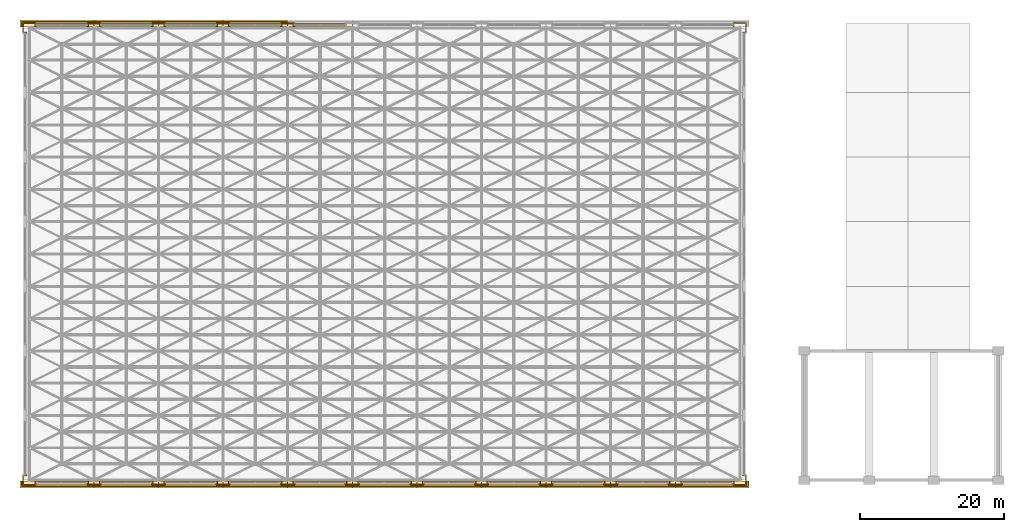
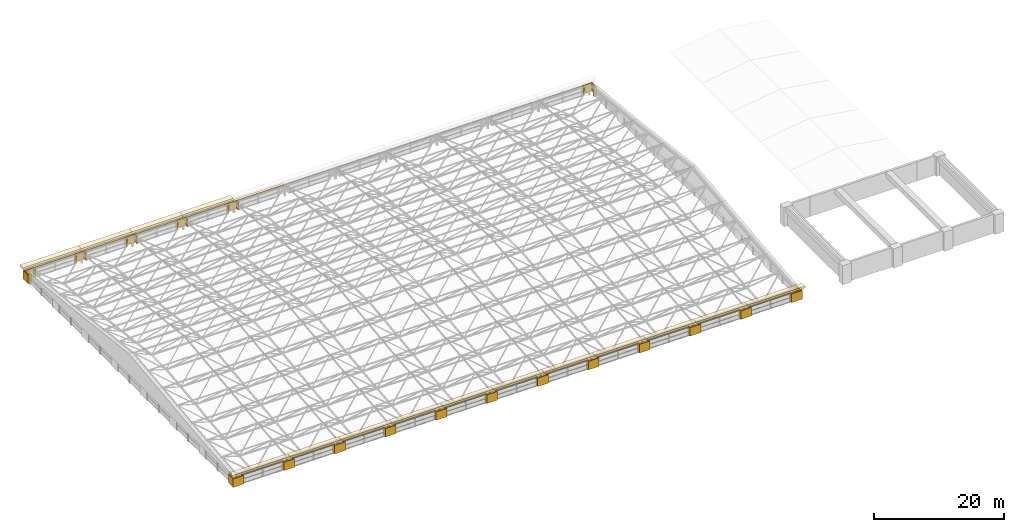
# One storey, part 52 of 53: 64 coverings.
"""IFC4 building model written with IfcOpenShell, lengths in metres."""

from ifc_helpers import new_model, si_unit, direction, frame, origin, place, context, subcontext, project, spatial, polyline, outline, extrude, material, layer, layer_set, type_object, element, save


model = new_model("IFC4")

# Units and contexts
model_context = context("Model", 3, precision=1e-05, world=origin(), true_north=direction((0.0, 1.0)))
body_context = subcontext(model_context, "Body", "Model", "MODEL_VIEW")
ifc_project = project(units=[si_unit("LENGTHUNIT", "METRE"), si_unit("AREAUNIT", "SQUARE_METRE"), si_unit("VOLUMEUNIT", "CUBIC_METRE"), si_unit("PLANEANGLEUNIT", "RADIAN"), si_unit("MASSUNIT", "GRAM", prefix="KILO")], contexts=[model_context])

# Site, building, storey
site_placement = place(None, origin())
site = spatial("IfcSite", under=ifc_project, at=site_placement, CompositionType="ELEMENT")
building_placement = place(site_placement, origin())
building = spatial("IfcBuilding", under=site, at=building_placement, Name="Aravalli Gate Trade Fair Centre", CompositionType="ELEMENT")
storey_placement = place(building_placement, frame((0.0, 0.0, 25.199951171875)))
storey = spatial("IfcBuildingStorey", under=building, at=storey_placement, Name="ROOF LEVEL 2", CompositionType="ELEMENT", Elevation=25.199951171875)

# Coverings
ifc_material = material(Name="Terracotta", Category="masonry")
ifc_layer_1 = layer(ifc_material, 0.300048828125)
ifc_layer_set_1 = layer_set([ifc_layer_1], Name="Terracotta")
covering_type_1 = type_object("IfcCoveringType", Name="Hall cornice course 1", PredefinedType="CLADDING", material=ifc_layer_set_1)
covering_1_placement = place(storey_placement, frame((0.0, 0.0, 1.60009765625)))
element("IfcCovering", 1, at=covering_1_placement, inside=storey, type_object=covering_type_1, Name="Hall cornice course 1 S01", PredefinedType="CLADDING", context=body_context, shape_type="SweptSolid", body=[
    extrude(outline(polyline([(5.10009765625, 45.300048828125), (15.0, 45.300048828125), (15.0, 45.85009765625), (5.10009765625, 45.85009765625), (5.10009765625, 45.300048828125)])), origin(), (0.0, 0.0, 1.0), 0.300048828125),
])
covering_2_placement = place(storey_placement, frame((0.0, 0.0, 1.60009765625)))
element("IfcCovering", 2, at=covering_2_placement, inside=storey, type_object=covering_type_1, Name="Hall cornice course 1 N01", PredefinedType="CLADDING", context=body_context, shape_type="SweptSolid", body=[
    extrude(outline(polyline([(5.10009765625, 109.14990234375), (15.0, 109.14990234375), (15.0, 109.699951171875), (5.10009765625, 109.699951171875), (5.10009765625, 109.14990234375)])), origin(), (0.0, 0.0, 1.0), 0.300048828125),
])
covering_3_placement = place(storey_placement, frame((0.0, 0.0, 1.60009765625)))
element("IfcCovering", 3, at=covering_3_placement, inside=storey, type_object=covering_type_1, Name="Hall cornice course 1 S02", PredefinedType="CLADDING", context=body_context, shape_type="SweptSolid", body=[
    extrude(outline(polyline([(15.0, 45.300048828125), (24.0, 45.300048828125), (24.0, 45.85009765625), (15.0, 45.85009765625), (15.0, 45.300048828125)])), origin(), (0.0, 0.0, 1.0), 0.300048828125),
])
covering_4_placement = place(storey_placement, frame((0.0, 0.0, 1.60009765625)))
element("IfcCovering", 4, at=covering_4_placement, inside=storey, type_object=covering_type_1, Name="Hall cornice course 1 N02", PredefinedType="CLADDING", context=body_context, shape_type="SweptSolid", body=[
    extrude(outline(polyline([(15.0, 109.14990234375), (24.0, 109.14990234375), (24.0, 109.699951171875), (15.0, 109.699951171875), (15.0, 109.14990234375)])), origin(), (0.0, 0.0, 1.0), 0.300048828125),
])
covering_5_placement = place(storey_placement, frame((0.0, 0.0, 1.60009765625)))
element("IfcCovering", 5, at=covering_5_placement, inside=storey, type_object=covering_type_1, Name="Hall cornice course 1 S03", PredefinedType="CLADDING", context=body_context, shape_type="SweptSolid", body=[
    extrude(outline(polyline([(24.0, 45.300048828125), (33.0, 45.300048828125), (33.0, 45.85009765625), (24.0, 45.85009765625), (24.0, 45.300048828125)])), origin(), (0.0, 0.0, 1.0), 0.300048828125),
])
covering_6_placement = place(storey_placement, frame((0.0, 0.0, 1.60009765625)))
element("IfcCovering", 6, at=covering_6_placement, inside=storey, type_object=covering_type_1, Name="Hall cornice course 1 N03", PredefinedType="CLADDING", context=body_context, shape_type="SweptSolid", body=[
    extrude(outline(polyline([(24.0, 109.14990234375), (33.0, 109.14990234375), (33.0, 109.699951171875), (24.0, 109.699951171875), (24.0, 109.14990234375)])), origin(), (0.0, 0.0, 1.0), 0.300048828125),
])
covering_7_placement = place(storey_placement, frame((0.0, 0.0, 1.60009765625)))
element("IfcCovering", 7, at=covering_7_placement, inside=storey, type_object=covering_type_1, Name="Hall cornice course 1 S04", PredefinedType="CLADDING", context=body_context, shape_type="SweptSolid", body=[
    extrude(outline(polyline([(33.0, 45.300048828125), (42.0, 45.300048828125), (42.0, 45.85009765625), (33.0, 45.85009765625), (33.0, 45.300048828125)])), origin(), (0.0, 0.0, 1.0), 0.300048828125),
])
covering_8_placement = place(storey_placement, frame((0.0, 0.0, 1.60009765625)))
element("IfcCovering", 8, at=covering_8_placement, inside=storey, type_object=covering_type_1, Name="Hall cornice course 1 N04", PredefinedType="CLADDING", context=body_context, shape_type="SweptSolid", body=[
    extrude(outline(polyline([(33.0, 109.14990234375), (42.0, 109.14990234375), (42.0, 109.699951171875), (33.0, 109.699951171875), (33.0, 109.14990234375)])), origin(), (0.0, 0.0, 1.0), 0.300048828125),
])
covering_9_placement = place(storey_placement, frame((0.0, 0.0, 1.60009765625)))
element("IfcCovering", 9, at=covering_9_placement, inside=storey, type_object=covering_type_1, Name="Hall cornice course 1 S05", PredefinedType="CLADDING", context=body_context, shape_type="SweptSolid", body=[
    extrude(outline(polyline([(42.0, 45.300048828125), (51.0, 45.300048828125), (51.0, 45.85009765625), (42.0, 45.85009765625), (42.0, 45.300048828125)])), origin(), (0.0, 0.0, 1.0), 0.300048828125),
])
covering_10_placement = place(storey_placement, frame((0.0, 0.0, 1.60009765625)))
element("IfcCovering", 10, at=covering_10_placement, inside=storey, type_object=covering_type_1, Name="Hall cornice course 1 N05", PredefinedType="CLADDING", context=body_context, shape_type="SweptSolid", body=[
    extrude(outline(polyline([(42.0, 109.14990234375), (51.0, 109.14990234375), (51.0, 109.699951171875), (42.0, 109.699951171875), (42.0, 109.14990234375)])), origin(), (0.0, 0.0, 1.0), 0.300048828125),
])
covering_11_placement = place(storey_placement, frame((0.0, 0.0, 1.60009765625)))
element("IfcCovering", 11, at=covering_11_placement, inside=storey, type_object=covering_type_1, Name="Hall cornice course 1 S06", PredefinedType="CLADDING", context=body_context, shape_type="SweptSolid", body=[
    extrude(outline(polyline([(51.0, 45.300048828125), (60.0, 45.300048828125), (60.0, 45.85009765625), (51.0, 45.85009765625), (51.0, 45.300048828125)])), origin(), (0.0, 0.0, 1.0), 0.300048828125),
])
covering_12_placement = place(storey_placement, frame((0.0, 0.0, 1.60009765625)))
element("IfcCovering", 12, at=covering_12_placement, inside=storey, type_object=covering_type_1, Name="Hall cornice course 1 S07", PredefinedType="CLADDING", context=body_context, shape_type="SweptSolid", body=[
    extrude(outline(polyline([(60.0, 45.300048828125), (69.0, 45.300048828125), (69.0, 45.85009765625), (60.0, 45.85009765625), (60.0, 45.300048828125)])), origin(), (0.0, 0.0, 1.0), 0.300048828125),
])
covering_13_placement = place(storey_placement, frame((0.0, 0.0, 1.60009765625)))
element("IfcCovering", 13, at=covering_13_placement, inside=storey, type_object=covering_type_1, Name="Hall cornice course 1 S08", PredefinedType="CLADDING", context=body_context, shape_type="SweptSolid", body=[
    extrude(outline(polyline([(69.0, 45.300048828125), (78.0, 45.300048828125), (78.0, 45.85009765625), (69.0, 45.85009765625), (69.0, 45.300048828125)])), origin(), (0.0, 0.0, 1.0), 0.300048828125),
])
covering_14_placement = place(storey_placement, frame((0.0, 0.0, 1.60009765625)))
element("IfcCovering", 14, at=covering_14_placement, inside=storey, type_object=covering_type_1, Name="Hall cornice course 1 S09", PredefinedType="CLADDING", context=body_context, shape_type="SweptSolid", body=[
    extrude(outline(polyline([(78.0, 45.300048828125), (87.0, 45.300048828125), (87.0, 45.85009765625), (78.0, 45.85009765625), (78.0, 45.300048828125)])), origin(), (0.0, 0.0, 1.0), 0.300048828125),
])
covering_15_placement = place(storey_placement, frame((0.0, 0.0, 1.60009765625)))
element("IfcCovering", 15, at=covering_15_placement, inside=storey, type_object=covering_type_1, Name="Hall cornice course 1 S10", PredefinedType="CLADDING", context=body_context, shape_type="SweptSolid", body=[
    extrude(outline(polyline([(87.0, 45.300048828125), (96.0, 45.300048828125), (96.0, 45.85009765625), (87.0, 45.85009765625), (87.0, 45.300048828125)])), origin(), (0.0, 0.0, 1.0), 0.300048828125),
])
covering_16_placement = place(storey_placement, frame((0.0, 0.0, 1.60009765625)))
element("IfcCovering", 16, at=covering_16_placement, inside=storey, type_object=covering_type_1, Name="Hall cornice course 1 S11", PredefinedType="CLADDING", context=body_context, shape_type="SweptSolid", body=[
    extrude(outline(polyline([(96.0, 45.300048828125), (105.89990234375, 45.300048828125), (105.89990234375, 45.85009765625), (96.0, 45.85009765625), (96.0, 45.300048828125)])), origin(), (0.0, 0.0, 1.0), 0.300048828125),
])
ifc_layer_2 = layer(ifc_material, 0.300048828125)
ifc_layer_set_2 = layer_set([ifc_layer_2], Name="Terracotta")
covering_type_2 = type_object("IfcCoveringType", Name="Hall cornice course 2", PredefinedType="CLADDING", material=ifc_layer_set_2)
covering_17_placement = place(storey_placement, frame((0.0, 0.0, 1.900146484375)))
element("IfcCovering", 17, at=covering_17_placement, inside=storey, type_object=covering_type_2, Name="Hall cornice course 2 S01", PredefinedType="CLADDING", context=body_context, shape_type="SweptSolid", body=[
    extrude(outline(polyline([(4.89990234375, 45.10009765625), (15.0, 45.10009765625), (15.0, 45.85009765625), (4.89990234375, 45.85009765625), (4.89990234375, 45.10009765625)])), origin(), (0.0, 0.0, 1.0), 0.2998046875),
])
covering_18_placement = place(storey_placement, frame((0.0, 0.0, 1.900146484375)))
element("IfcCovering", 18, at=covering_18_placement, inside=storey, type_object=covering_type_2, Name="Hall cornice course 2 N01", PredefinedType="CLADDING", context=body_context, shape_type="SweptSolid", body=[
    extrude(outline(polyline([(4.89990234375, 109.14990234375), (15.0, 109.14990234375), (15.0, 109.89990234375), (4.89990234375, 109.89990234375), (4.89990234375, 109.14990234375)])), origin(), (0.0, 0.0, 1.0), 0.2998046875),
])
covering_19_placement = place(storey_placement, frame((0.0, 0.0, 1.900146484375)))
element("IfcCovering", 19, at=covering_19_placement, inside=storey, type_object=covering_type_2, Name="Hall cornice course 2 S02", PredefinedType="CLADDING", context=body_context, shape_type="SweptSolid", body=[
    extrude(outline(polyline([(15.0, 45.10009765625), (24.0, 45.10009765625), (24.0, 45.85009765625), (15.0, 45.85009765625), (15.0, 45.10009765625)])), origin(), (0.0, 0.0, 1.0), 0.2998046875),
])
covering_20_placement = place(storey_placement, frame((0.0, 0.0, 1.900146484375)))
element("IfcCovering", 20, at=covering_20_placement, inside=storey, type_object=covering_type_2, Name="Hall cornice course 2 N02", PredefinedType="CLADDING", context=body_context, shape_type="SweptSolid", body=[
    extrude(outline(polyline([(15.0, 109.14990234375), (24.0, 109.14990234375), (24.0, 109.89990234375), (15.0, 109.89990234375), (15.0, 109.14990234375)])), origin(), (0.0, 0.0, 1.0), 0.2998046875),
])
covering_21_placement = place(storey_placement, frame((0.0, 0.0, 1.900146484375)))
element("IfcCovering", 21, at=covering_21_placement, inside=storey, type_object=covering_type_2, Name="Hall cornice course 2 S03", PredefinedType="CLADDING", context=body_context, shape_type="SweptSolid", body=[
    extrude(outline(polyline([(24.0, 45.10009765625), (33.0, 45.10009765625), (33.0, 45.85009765625), (24.0, 45.85009765625), (24.0, 45.10009765625)])), origin(), (0.0, 0.0, 1.0), 0.2998046875),
])
covering_22_placement = place(storey_placement, frame((0.0, 0.0, 1.900146484375)))
element("IfcCovering", 22, at=covering_22_placement, inside=storey, type_object=covering_type_2, Name="Hall cornice course 2 N03", PredefinedType="CLADDING", context=body_context, shape_type="SweptSolid", body=[
    extrude(outline(polyline([(24.0, 109.14990234375), (33.0, 109.14990234375), (33.0, 109.89990234375), (24.0, 109.89990234375), (24.0, 109.14990234375)])), origin(), (0.0, 0.0, 1.0), 0.2998046875),
])
covering_23_placement = place(storey_placement, frame((0.0, 0.0, 1.900146484375)))
element("IfcCovering", 23, at=covering_23_placement, inside=storey, type_object=covering_type_2, Name="Hall cornice course 2 S04", PredefinedType="CLADDING", context=body_context, shape_type="SweptSolid", body=[
    extrude(outline(polyline([(33.0, 45.10009765625), (42.0, 45.10009765625), (42.0, 45.85009765625), (33.0, 45.85009765625), (33.0, 45.10009765625)])), origin(), (0.0, 0.0, 1.0), 0.2998046875),
])
covering_24_placement = place(storey_placement, frame((0.0, 0.0, 1.900146484375)))
element("IfcCovering", 24, at=covering_24_placement, inside=storey, type_object=covering_type_2, Name="Hall cornice course 2 N04", PredefinedType="CLADDING", context=body_context, shape_type="SweptSolid", body=[
    extrude(outline(polyline([(33.0, 109.14990234375), (42.0, 109.14990234375), (42.0, 109.89990234375), (33.0, 109.89990234375), (33.0, 109.14990234375)])), origin(), (0.0, 0.0, 1.0), 0.2998046875),
])
covering_25_placement = place(storey_placement, frame((0.0, 0.0, 1.900146484375)))
element("IfcCovering", 25, at=covering_25_placement, inside=storey, type_object=covering_type_2, Name="Hall cornice course 2 S05", PredefinedType="CLADDING", context=body_context, shape_type="SweptSolid", body=[
    extrude(outline(polyline([(42.0, 45.10009765625), (51.0, 45.10009765625), (51.0, 45.85009765625), (42.0, 45.85009765625), (42.0, 45.10009765625)])), origin(), (0.0, 0.0, 1.0), 0.2998046875),
])
covering_26_placement = place(storey_placement, frame((0.0, 0.0, 1.900146484375)))
element("IfcCovering", 26, at=covering_26_placement, inside=storey, type_object=covering_type_2, Name="Hall cornice course 2 S06", PredefinedType="CLADDING", context=body_context, shape_type="SweptSolid", body=[
    extrude(outline(polyline([(51.0, 45.10009765625), (60.0, 45.10009765625), (60.0, 45.85009765625), (51.0, 45.85009765625), (51.0, 45.10009765625)])), origin(), (0.0, 0.0, 1.0), 0.2998046875),
])
covering_27_placement = place(storey_placement, frame((0.0, 0.0, 1.900146484375)))
element("IfcCovering", 27, at=covering_27_placement, inside=storey, type_object=covering_type_2, Name="Hall cornice course 2 S07", PredefinedType="CLADDING", context=body_context, shape_type="SweptSolid", body=[
    extrude(outline(polyline([(60.0, 45.10009765625), (69.0, 45.10009765625), (69.0, 45.85009765625), (60.0, 45.85009765625), (60.0, 45.10009765625)])), origin(), (0.0, 0.0, 1.0), 0.2998046875),
])
covering_28_placement = place(storey_placement, frame((0.0, 0.0, 1.900146484375)))
element("IfcCovering", 28, at=covering_28_placement, inside=storey, type_object=covering_type_2, Name="Hall cornice course 2 S08", PredefinedType="CLADDING", context=body_context, shape_type="SweptSolid", body=[
    extrude(outline(polyline([(69.0, 45.10009765625), (78.0, 45.10009765625), (78.0, 45.85009765625), (69.0, 45.85009765625), (69.0, 45.10009765625)])), origin(), (0.0, 0.0, 1.0), 0.2998046875),
])
covering_29_placement = place(storey_placement, frame((0.0, 0.0, 1.900146484375)))
element("IfcCovering", 29, at=covering_29_placement, inside=storey, type_object=covering_type_2, Name="Hall cornice course 2 S09", PredefinedType="CLADDING", context=body_context, shape_type="SweptSolid", body=[
    extrude(outline(polyline([(78.0, 45.10009765625), (87.0, 45.10009765625), (87.0, 45.85009765625), (78.0, 45.85009765625), (78.0, 45.10009765625)])), origin(), (0.0, 0.0, 1.0), 0.2998046875),
])
covering_30_placement = place(storey_placement, frame((0.0, 0.0, 1.900146484375)))
element("IfcCovering", 30, at=covering_30_placement, inside=storey, type_object=covering_type_2, Name="Hall cornice course 2 S10", PredefinedType="CLADDING", context=body_context, shape_type="SweptSolid", body=[
    extrude(outline(polyline([(87.0, 45.10009765625), (96.0, 45.10009765625), (96.0, 45.85009765625), (87.0, 45.85009765625), (87.0, 45.10009765625)])), origin(), (0.0, 0.0, 1.0), 0.2998046875),
])
covering_31_placement = place(storey_placement, frame((0.0, 0.0, 1.900146484375)))
element("IfcCovering", 31, at=covering_31_placement, inside=storey, type_object=covering_type_2, Name="Hall cornice course 2 S11", PredefinedType="CLADDING", context=body_context, shape_type="SweptSolid", body=[
    extrude(outline(polyline([(96.0, 45.10009765625), (106.10009765625, 45.10009765625), (106.10009765625, 45.85009765625), (96.0, 45.85009765625), (96.0, 45.10009765625)])), origin(), (0.0, 0.0, 1.0), 0.2998046875),
])
ifc_layer_3 = layer(ifc_material, 0.35009765625)
ifc_layer_set_3 = layer_set([ifc_layer_3], Name="Terracotta")
covering_type_3 = type_object("IfcCoveringType", Name="Hall cornice course 3", PredefinedType="CLADDING", material=ifc_layer_set_3)
covering_32_placement = place(storey_placement, frame((0.0, 0.0, 2.199951171875)))
element("IfcCovering", 32, at=covering_32_placement, inside=storey, type_object=covering_type_3, Name="Hall cornice course 3 S01", PredefinedType="CLADDING", context=body_context, shape_type="SweptSolid", body=[
    extrude(outline(polyline([(4.699951171875, 44.89990234375), (15.0, 44.89990234375), (15.0, 45.85009765625), (4.699951171875, 45.85009765625), (4.699951171875, 44.89990234375)])), origin(), (0.0, 0.0, 1.0), 0.35009765625),
])
covering_33_placement = place(storey_placement, frame((0.0, 0.0, 2.199951171875)))
element("IfcCovering", 33, at=covering_33_placement, inside=storey, type_object=covering_type_3, Name="Hall cornice course 3 N01", PredefinedType="CLADDING", context=body_context, shape_type="SweptSolid", body=[
    extrude(outline(polyline([(4.699951171875, 109.14990234375), (15.0, 109.14990234375), (15.0, 110.10009765625), (4.699951171875, 110.10009765625), (4.699951171875, 109.14990234375)])), origin(), (0.0, 0.0, 1.0), 0.35009765625),
])
covering_34_placement = place(storey_placement, frame((0.0, 0.0, 2.199951171875)))
element("IfcCovering", 34, at=covering_34_placement, inside=storey, type_object=covering_type_3, Name="Hall cornice course 3 S02", PredefinedType="CLADDING", context=body_context, shape_type="SweptSolid", body=[
    extrude(outline(polyline([(15.0, 44.89990234375), (24.0, 44.89990234375), (24.0, 45.85009765625), (15.0, 45.85009765625), (15.0, 44.89990234375)])), origin(), (0.0, 0.0, 1.0), 0.35009765625),
])
covering_35_placement = place(storey_placement, frame((0.0, 0.0, 2.199951171875)))
element("IfcCovering", 35, at=covering_35_placement, inside=storey, type_object=covering_type_3, Name="Hall cornice course 3 N02", PredefinedType="CLADDING", context=body_context, shape_type="SweptSolid", body=[
    extrude(outline(polyline([(15.0, 109.14990234375), (24.0, 109.14990234375), (24.0, 110.10009765625), (15.0, 110.10009765625), (15.0, 109.14990234375)])), origin(), (0.0, 0.0, 1.0), 0.35009765625),
])
covering_36_placement = place(storey_placement, frame((0.0, 0.0, 2.199951171875)))
element("IfcCovering", 36, at=covering_36_placement, inside=storey, type_object=covering_type_3, Name="Hall cornice course 3 S03", PredefinedType="CLADDING", context=body_context, shape_type="SweptSolid", body=[
    extrude(outline(polyline([(24.0, 44.89990234375), (33.0, 44.89990234375), (33.0, 45.85009765625), (24.0, 45.85009765625), (24.0, 44.89990234375)])), origin(), (0.0, 0.0, 1.0), 0.35009765625),
])
covering_37_placement = place(storey_placement, frame((0.0, 0.0, 2.199951171875)))
element("IfcCovering", 37, at=covering_37_placement, inside=storey, type_object=covering_type_3, Name="Hall cornice course 3 N03", PredefinedType="CLADDING", context=body_context, shape_type="SweptSolid", body=[
    extrude(outline(polyline([(24.0, 109.14990234375), (33.0, 109.14990234375), (33.0, 110.10009765625), (24.0, 110.10009765625), (24.0, 109.14990234375)])), origin(), (0.0, 0.0, 1.0), 0.35009765625),
])
covering_38_placement = place(storey_placement, frame((0.0, 0.0, 2.199951171875)))
element("IfcCovering", 38, at=covering_38_placement, inside=storey, type_object=covering_type_3, Name="Hall cornice course 3 S04", PredefinedType="CLADDING", context=body_context, shape_type="SweptSolid", body=[
    extrude(outline(polyline([(33.0, 44.89990234375), (42.0, 44.89990234375), (42.0, 45.85009765625), (33.0, 45.85009765625), (33.0, 44.89990234375)])), origin(), (0.0, 0.0, 1.0), 0.35009765625),
])
covering_39_placement = place(storey_placement, frame((0.0, 0.0, 2.199951171875)))
element("IfcCovering", 39, at=covering_39_placement, inside=storey, type_object=covering_type_3, Name="Hall cornice course 3 N04", PredefinedType="CLADDING", context=body_context, shape_type="SweptSolid", body=[
    extrude(outline(polyline([(33.0, 109.14990234375), (42.0, 109.14990234375), (42.0, 110.10009765625), (33.0, 110.10009765625), (33.0, 109.14990234375)])), origin(), (0.0, 0.0, 1.0), 0.35009765625),
])
covering_40_placement = place(storey_placement, frame((0.0, 0.0, 2.199951171875)))
element("IfcCovering", 40, at=covering_40_placement, inside=storey, type_object=covering_type_3, Name="Hall cornice course 3 S05", PredefinedType="CLADDING", context=body_context, shape_type="SweptSolid", body=[
    extrude(outline(polyline([(42.0, 44.89990234375), (51.0, 44.89990234375), (51.0, 45.85009765625), (42.0, 45.85009765625), (42.0, 44.89990234375)])), origin(), (0.0, 0.0, 1.0), 0.35009765625),
])
covering_41_placement = place(storey_placement, frame((0.0, 0.0, 2.199951171875)))
element("IfcCovering", 41, at=covering_41_placement, inside=storey, type_object=covering_type_3, Name="Hall cornice course 3 S06", PredefinedType="CLADDING", context=body_context, shape_type="SweptSolid", body=[
    extrude(outline(polyline([(51.0, 44.89990234375), (60.0, 44.89990234375), (60.0, 45.85009765625), (51.0, 45.85009765625), (51.0, 44.89990234375)])), origin(), (0.0, 0.0, 1.0), 0.35009765625),
])
covering_42_placement = place(storey_placement, frame((0.0, 0.0, 2.199951171875)))
element("IfcCovering", 42, at=covering_42_placement, inside=storey, type_object=covering_type_3, Name="Hall cornice course 3 S07", PredefinedType="CLADDING", context=body_context, shape_type="SweptSolid", body=[
    extrude(outline(polyline([(60.0, 44.89990234375), (69.0, 44.89990234375), (69.0, 45.85009765625), (60.0, 45.85009765625), (60.0, 44.89990234375)])), origin(), (0.0, 0.0, 1.0), 0.35009765625),
])
covering_43_placement = place(storey_placement, frame((0.0, 0.0, 2.199951171875)))
element("IfcCovering", 43, at=covering_43_placement, inside=storey, type_object=covering_type_3, Name="Hall cornice course 3 S08", PredefinedType="CLADDING", context=body_context, shape_type="SweptSolid", body=[
    extrude(outline(polyline([(69.0, 44.89990234375), (78.0, 44.89990234375), (78.0, 45.85009765625), (69.0, 45.85009765625), (69.0, 44.89990234375)])), origin(), (0.0, 0.0, 1.0), 0.35009765625),
])
covering_44_placement = place(storey_placement, frame((0.0, 0.0, 2.199951171875)))
element("IfcCovering", 44, at=covering_44_placement, inside=storey, type_object=covering_type_3, Name="Hall cornice course 3 S09", PredefinedType="CLADDING", context=body_context, shape_type="SweptSolid", body=[
    extrude(outline(polyline([(78.0, 44.89990234375), (87.0, 44.89990234375), (87.0, 45.85009765625), (78.0, 45.85009765625), (78.0, 44.89990234375)])), origin(), (0.0, 0.0, 1.0), 0.35009765625),
])
covering_45_placement = place(storey_placement, frame((0.0, 0.0, 2.199951171875)))
element("IfcCovering", 45, at=covering_45_placement, inside=storey, type_object=covering_type_3, Name="Hall cornice course 3 S10", PredefinedType="CLADDING", context=body_context, shape_type="SweptSolid", body=[
    extrude(outline(polyline([(87.0, 44.89990234375), (96.0, 44.89990234375), (96.0, 45.85009765625), (87.0, 45.85009765625), (87.0, 44.89990234375)])), origin(), (0.0, 0.0, 1.0), 0.35009765625),
])
covering_46_placement = place(storey_placement, frame((0.0, 0.0, 2.199951171875)))
element("IfcCovering", 46, at=covering_46_placement, inside=storey, type_object=covering_type_3, Name="Hall cornice course 3 S11", PredefinedType="CLADDING", context=body_context, shape_type="SweptSolid", body=[
    extrude(outline(polyline([(96.0, 44.89990234375), (106.300048828125, 44.89990234375), (106.300048828125, 45.85009765625), (96.0, 45.85009765625), (96.0, 44.89990234375)])), origin(), (0.0, 0.0, 1.0), 0.35009765625),
])
ifc_layer_4 = layer(ifc_material, 0.14990234375)
ifc_layer_set_4 = layer_set([ifc_layer_4], Name="Terracotta")
covering_type_4 = type_object("IfcCoveringType", Name="Terracotta pier casing", PredefinedType="CLADDING", material=ifc_layer_set_4)
covering_47_placement = place(storey_placement, origin())
element("IfcCovering", 47, at=covering_47_placement, inside=storey, type_object=covering_type_4, Name="Clad pier A1 ROOF LEVEL 2", PredefinedType="CLADDING", context=body_context, shape_type="SweptSolid", body=[
    extrude(outline(polyline([(5.050048828125, 46.75), (5.64990234375, 46.75), (5.64990234375, 46.60009765625), (5.199951171875, 46.60009765625), (5.199951171875, 45.39990234375), (6.800048828125, 45.39990234375), (6.800048828125, 45.85009765625), (6.949951171875, 45.85009765625), (6.949951171875, 45.25), (5.050048828125, 45.25), (5.050048828125, 46.75)])), origin(), (0.0, 0.0, 1.0), 1.60009765625),
])
covering_48_placement = place(storey_placement, origin())
element("IfcCovering", 48, at=covering_48_placement, inside=storey, type_object=covering_type_4, Name="Clad pier H1 ROOF LEVEL 2", PredefinedType="CLADDING", context=body_context, shape_type="SweptSolid", body=[
    extrude(outline(polyline([(5.050048828125, 109.75), (6.949951171875, 109.75), (6.949951171875, 109.14990234375), (6.800048828125, 109.14990234375), (6.800048828125, 109.60009765625), (5.199951171875, 109.60009765625), (5.199951171875, 108.39990234375), (5.64990234375, 108.39990234375), (5.64990234375, 108.25), (5.050048828125, 108.25), (5.050048828125, 109.75)])), origin(), (0.0, 0.0, 1.0), 1.60009765625),
])
covering_49_placement = place(storey_placement, origin())
element("IfcCovering", 49, at=covering_49_placement, inside=storey, type_object=covering_type_4, Name="Clad pier A2 ROOF LEVEL 2", PredefinedType="CLADDING", context=body_context, shape_type="SweptSolid", body=[
    extrude(outline(polyline([(14.050048828125, 45.85009765625), (14.199951171875, 45.85009765625), (14.199951171875, 45.39990234375), (15.800048828125, 45.39990234375), (15.800048828125, 45.85009765625), (15.949951171875, 45.85009765625), (15.949951171875, 45.25), (14.050048828125, 45.25), (14.050048828125, 45.85009765625)])), origin(), (0.0, 0.0, 1.0), 1.60009765625),
])
covering_50_placement = place(storey_placement, origin())
element("IfcCovering", 50, at=covering_50_placement, inside=storey, type_object=covering_type_4, Name="Clad pier H2 ROOF LEVEL 2", PredefinedType="CLADDING", context=body_context, shape_type="SweptSolid", body=[
    extrude(outline(polyline([(14.050048828125, 109.75), (15.949951171875, 109.75), (15.949951171875, 109.14990234375), (15.800048828125, 109.14990234375), (15.800048828125, 109.60009765625), (14.199951171875, 109.60009765625), (14.199951171875, 109.14990234375), (14.050048828125, 109.14990234375), (14.050048828125, 109.75)])), origin(), (0.0, 0.0, 1.0), 1.60009765625),
])
covering_51_placement = place(storey_placement, origin())
element("IfcCovering", 51, at=covering_51_placement, inside=storey, type_object=covering_type_4, Name="Clad pier A3 ROOF LEVEL 2", PredefinedType="CLADDING", context=body_context, shape_type="SweptSolid", body=[
    extrude(outline(polyline([(23.050048828125, 45.85009765625), (23.199951171875, 45.85009765625), (23.199951171875, 45.39990234375), (24.800048828125, 45.39990234375), (24.800048828125, 45.85009765625), (24.949951171875, 45.85009765625), (24.949951171875, 45.25), (23.050048828125, 45.25), (23.050048828125, 45.85009765625)])), origin(), (0.0, 0.0, 1.0), 1.60009765625),
])
covering_52_placement = place(storey_placement, origin())
element("IfcCovering", 52, at=covering_52_placement, inside=storey, type_object=covering_type_4, Name="Clad pier H3 ROOF LEVEL 2", PredefinedType="CLADDING", context=body_context, shape_type="SweptSolid", body=[
    extrude(outline(polyline([(23.050048828125, 109.75), (24.949951171875, 109.75), (24.949951171875, 109.14990234375), (24.800048828125, 109.14990234375), (24.800048828125, 109.60009765625), (23.199951171875, 109.60009765625), (23.199951171875, 109.14990234375), (23.050048828125, 109.14990234375), (23.050048828125, 109.75)])), origin(), (0.0, 0.0, 1.0), 1.60009765625),
])
covering_53_placement = place(storey_placement, origin())
element("IfcCovering", 53, at=covering_53_placement, inside=storey, type_object=covering_type_4, Name="Clad pier A4 ROOF LEVEL 2", PredefinedType="CLADDING", context=body_context, shape_type="SweptSolid", body=[
    extrude(outline(polyline([(32.050048828125, 45.85009765625), (32.199951171875, 45.85009765625), (32.199951171875, 45.39990234375), (33.800048828125, 45.39990234375), (33.800048828125, 45.85009765625), (33.949951171875, 45.85009765625), (33.949951171875, 45.25), (32.050048828125, 45.25), (32.050048828125, 45.85009765625)])), origin(), (0.0, 0.0, 1.0), 1.60009765625),
])
covering_54_placement = place(storey_placement, origin())
element("IfcCovering", 54, at=covering_54_placement, inside=storey, type_object=covering_type_4, Name="Clad pier H4 ROOF LEVEL 2", PredefinedType="CLADDING", context=body_context, shape_type="SweptSolid", body=[
    extrude(outline(polyline([(32.050048828125, 109.75), (33.949951171875, 109.75), (33.949951171875, 109.14990234375), (33.800048828125, 109.14990234375), (33.800048828125, 109.60009765625), (32.199951171875, 109.60009765625), (32.199951171875, 109.14990234375), (32.050048828125, 109.14990234375), (32.050048828125, 109.75)])), origin(), (0.0, 0.0, 1.0), 1.60009765625),
])
covering_55_placement = place(storey_placement, origin())
element("IfcCovering", 55, at=covering_55_placement, inside=storey, type_object=covering_type_4, Name="Clad pier A5 ROOF LEVEL 2", PredefinedType="CLADDING", context=body_context, shape_type="SweptSolid", body=[
    extrude(outline(polyline([(41.050048828125, 45.85009765625), (41.199951171875, 45.85009765625), (41.199951171875, 45.39990234375), (42.800048828125, 45.39990234375), (42.800048828125, 45.85009765625), (42.949951171875, 45.85009765625), (42.949951171875, 45.25), (41.050048828125, 45.25), (41.050048828125, 45.85009765625)])), origin(), (0.0, 0.0, 1.0), 1.60009765625),
])
covering_56_placement = place(storey_placement, origin())
element("IfcCovering", 56, at=covering_56_placement, inside=storey, type_object=covering_type_4, Name="Clad pier H5 ROOF LEVEL 2", PredefinedType="CLADDING", context=body_context, shape_type="SweptSolid", body=[
    extrude(outline(polyline([(41.050048828125, 109.75), (42.949951171875, 109.75), (42.949951171875, 109.14990234375), (42.800048828125, 109.14990234375), (42.800048828125, 109.60009765625), (41.199951171875, 109.60009765625), (41.199951171875, 109.14990234375), (41.050048828125, 109.14990234375), (41.050048828125, 109.75)])), origin(), (0.0, 0.0, 1.0), 1.60009765625),
])
covering_57_placement = place(storey_placement, origin())
element("IfcCovering", 57, at=covering_57_placement, inside=storey, type_object=covering_type_4, Name="Clad pier A6 ROOF LEVEL 2", PredefinedType="CLADDING", context=body_context, shape_type="SweptSolid", body=[
    extrude(outline(polyline([(50.050048828125, 45.85009765625), (50.199951171875, 45.85009765625), (50.199951171875, 45.39990234375), (51.800048828125, 45.39990234375), (51.800048828125, 45.85009765625), (51.949951171875, 45.85009765625), (51.949951171875, 45.25), (50.050048828125, 45.25), (50.050048828125, 45.85009765625)])), origin(), (0.0, 0.0, 1.0), 1.60009765625),
])
covering_58_placement = place(storey_placement, origin())
element("IfcCovering", 58, at=covering_58_placement, inside=storey, type_object=covering_type_4, Name="Clad pier A7 ROOF LEVEL 2", PredefinedType="CLADDING", context=body_context, shape_type="SweptSolid", body=[
    extrude(outline(polyline([(59.050048828125, 45.85009765625), (59.199951171875, 45.85009765625), (59.199951171875, 45.39990234375), (60.800048828125, 45.39990234375), (60.800048828125, 45.85009765625), (60.949951171875, 45.85009765625), (60.949951171875, 45.25), (59.050048828125, 45.25), (59.050048828125, 45.85009765625)])), origin(), (0.0, 0.0, 1.0), 1.60009765625),
])
covering_59_placement = place(storey_placement, origin())
element("IfcCovering", 59, at=covering_59_placement, inside=storey, type_object=covering_type_4, Name="Clad pier A8 ROOF LEVEL 2", PredefinedType="CLADDING", context=body_context, shape_type="SweptSolid", body=[
    extrude(outline(polyline([(68.050048828125, 45.85009765625), (68.199951171875, 45.85009765625), (68.199951171875, 45.39990234375), (69.800048828125, 45.39990234375), (69.800048828125, 45.85009765625), (69.949951171875, 45.85009765625), (69.949951171875, 45.25), (68.050048828125, 45.25), (68.050048828125, 45.85009765625)])), origin(), (0.0, 0.0, 1.0), 1.60009765625),
])
covering_60_placement = place(storey_placement, origin())
element("IfcCovering", 60, at=covering_60_placement, inside=storey, type_object=covering_type_4, Name="Clad pier A9 ROOF LEVEL 2", PredefinedType="CLADDING", context=body_context, shape_type="SweptSolid", body=[
    extrude(outline(polyline([(77.050048828125, 45.85009765625), (77.199951171875, 45.85009765625), (77.199951171875, 45.39990234375), (78.800048828125, 45.39990234375), (78.800048828125, 45.85009765625), (78.949951171875, 45.85009765625), (78.949951171875, 45.25), (77.050048828125, 45.25), (77.050048828125, 45.85009765625)])), origin(), (0.0, 0.0, 1.0), 1.60009765625),
])
covering_61_placement = place(storey_placement, origin())
element("IfcCovering", 61, at=covering_61_placement, inside=storey, type_object=covering_type_4, Name="Clad pier A10 ROOF LEVEL 2", PredefinedType="CLADDING", context=body_context, shape_type="SweptSolid", body=[
    extrude(outline(polyline([(86.050048828125, 45.85009765625), (86.199951171875, 45.85009765625), (86.199951171875, 45.39990234375), (87.800048828125, 45.39990234375), (87.800048828125, 45.85009765625), (87.949951171875, 45.85009765625), (87.949951171875, 45.25), (86.050048828125, 45.25), (86.050048828125, 45.85009765625)])), origin(), (0.0, 0.0, 1.0), 1.60009765625),
])
covering_62_placement = place(storey_placement, origin())
element("IfcCovering", 62, at=covering_62_placement, inside=storey, type_object=covering_type_4, Name="Clad pier A11 ROOF LEVEL 2", PredefinedType="CLADDING", context=body_context, shape_type="SweptSolid", body=[
    extrude(outline(polyline([(95.050048828125, 45.85009765625), (95.199951171875, 45.85009765625), (95.199951171875, 45.39990234375), (96.800048828125, 45.39990234375), (96.800048828125, 45.85009765625), (96.949951171875, 45.85009765625), (96.949951171875, 45.25), (95.050048828125, 45.25), (95.050048828125, 45.85009765625)])), origin(), (0.0, 0.0, 1.0), 1.60009765625),
])
covering_63_placement = place(storey_placement, origin())
element("IfcCovering", 63, at=covering_63_placement, inside=storey, type_object=covering_type_4, Name="Clad pier A12 ROOF LEVEL 2", PredefinedType="CLADDING", context=body_context, shape_type="SweptSolid", body=[
    extrude(outline(polyline([(104.050048828125, 45.85009765625), (104.199951171875, 45.85009765625), (104.199951171875, 45.39990234375), (105.800048828125, 45.39990234375), (105.800048828125, 46.60009765625), (105.35009765625, 46.60009765625), (105.35009765625, 46.75), (105.949951171875, 46.75), (105.949951171875, 45.25), (104.050048828125, 45.25), (104.050048828125, 45.85009765625)])), origin(), (0.0, 0.0, 1.0), 1.60009765625),
])
covering_64_placement = place(storey_placement, origin())
element("IfcCovering", 64, at=covering_64_placement, inside=storey, type_object=covering_type_4, Name="Clad pier H12 ROOF LEVEL 2", PredefinedType="CLADDING", context=body_context, shape_type="SweptSolid", body=[
    extrude(outline(polyline([(104.050048828125, 109.75), (105.949951171875, 109.75), (105.949951171875, 108.25), (105.35009765625, 108.25), (105.35009765625, 108.39990234375), (105.800048828125, 108.39990234375), (105.800048828125, 109.60009765625), (104.199951171875, 109.60009765625), (104.199951171875, 109.14990234375), (104.050048828125, 109.14990234375), (104.050048828125, 109.75)])), origin(), (0.0, 0.0, 1.0), 1.60009765625),
])

save(model, "model.ifc")
